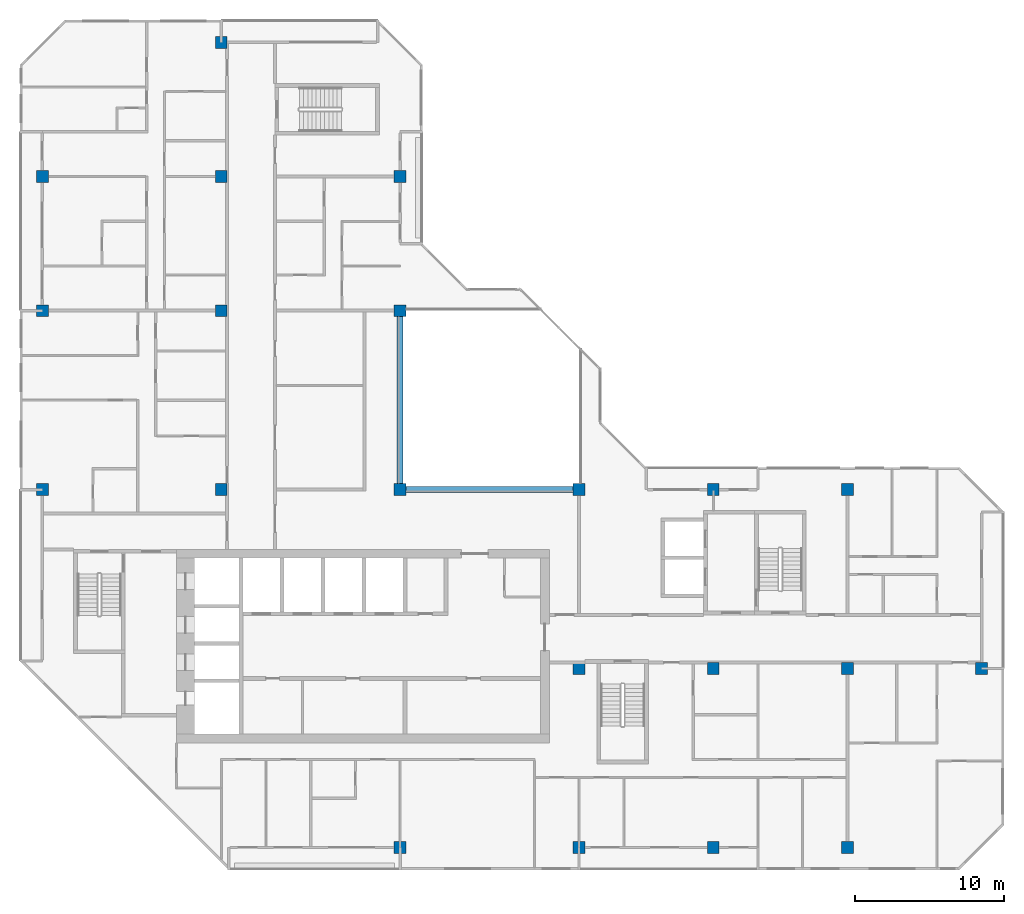
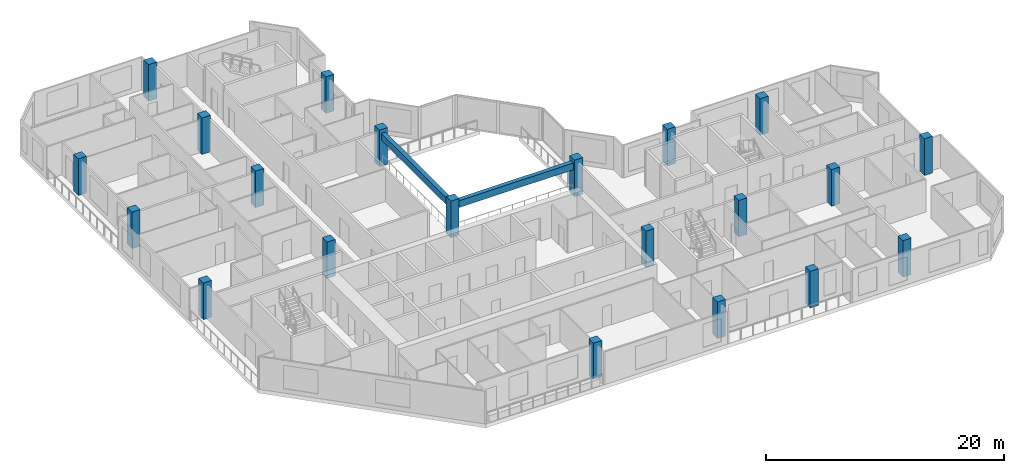
# One storey, part 1 of 13: 21 columns, 2 beams.
"""IFC4 building model written with IfcOpenShell, lengths in metres."""

from ifc_helpers import new_model, si_unit, direction, frame, origin, origin_2d, place, context, subcontext, project, spatial, rectangle, extrude, material, material_profile, profile_set, type_object, element, save


model = new_model("IFC4")

# Units and contexts
model_context = context("Model", 3, precision=1e-05, world=origin(), true_north=direction((0.0, 1.0)))
body_context = subcontext(model_context, "Body", "Model", "MODEL_VIEW")
ifc_project = project(units=[si_unit("LENGTHUNIT", "METRE"), si_unit("AREAUNIT", "SQUARE_METRE"), si_unit("VOLUMEUNIT", "CUBIC_METRE"), si_unit("PLANEANGLEUNIT", "RADIAN"), si_unit("MASSUNIT", "GRAM", prefix="KILO")], contexts=[model_context])

# Site, building, storey
site_placement = place(None, origin())
site = spatial("IfcSite", under=ifc_project, at=site_placement, CompositionType="ELEMENT")
building_placement = place(site_placement, origin())
building = spatial("IfcBuilding", under=site, at=building_placement, Name="Chenar Terraces", CompositionType="ELEMENT")
storey_placement = place(building_placement, frame((0.0, 0.0, 314.64990234375)))
storey = spatial("IfcBuildingStorey", under=building, at=storey_placement, Name="L74", CompositionType="ELEMENT", Elevation=314.64990234375)

# Columns
ifc_material_1 = material(Name="Concrete C50/60", Category="concrete")
ifc_material_profile_1 = material_profile(ifc_material_1, rectangle(XDim=0.800048828125, YDim=0.800048828125, at=origin_2d()), Name="C 800 x 800")
ifc_profile_set_1 = profile_set([ifc_material_profile_1], Name="Concrete C50/60")
column_type = type_object("IfcColumnType", Name="Column C 800 x 800 Concrete C50/60", PredefinedType="COLUMN", material=ifc_profile_set_1)
column_1_placement = place(storey_placement, frame((0.0, 24.0, 0.0), z_axis=(0.0, 0.0, 1.0), x_axis=(1.0, 0.0, 0.0)))
element("IfcColumn", 1, at=column_1_placement, inside=storey, type_object=column_type, Name="Column 5/G L74", PredefinedType="COLUMN", context=body_context, shape_type="SweptSolid", body=[
    extrude(rectangle(XDim=0.800048828125, YDim=0.800048828125, at=origin_2d()), origin(), (0.0, 0.0, 1.0), 3.75),
])
column_2_placement = place(storey_placement, frame((0.0, 36.0, 0.0), z_axis=(0.0, 0.0, 1.0), x_axis=(1.0, 0.0, 0.0)))
element("IfcColumn", 2, at=column_2_placement, inside=storey, type_object=column_type, Name="Column 5/H L74", PredefinedType="COLUMN", context=body_context, shape_type="SweptSolid", body=[
    extrude(rectangle(XDim=0.800048828125, YDim=0.800048828125, at=origin_2d()), origin(), (0.0, 0.0, 1.0), 3.75),
])
for number, where, z_axis, x_axis, name in (
    (3, (0.0, 45.0, 0.0), (0.0, 0.0, 1.0), (1.0, 0.0, 0.0), "Column 5/J L74"),
    (4, (12.0, 24.0, 0.0), (0.0, 0.0, 1.0), (1.0, 0.0, 0.0), "Column 6/G L74"),
    (5, (12.0, 36.0, 0.0), (0.0, 0.0, 1.0), (1.0, 0.0, 0.0), "Column 6/H L74"),
    (6, (12.0, 45.0, 0.0), (0.0, 0.0, 1.0), (1.0, 0.0, 0.0), "Column 6/J L74"),
    (7, (12.0, 54.0, 0.0), (0.0, 0.0, 1.0), (1.0, 0.0, 0.0), "Column 6/K L74"),
    (8, (24.0, 0.0, 0.0), (0.0, 0.0, 1.0), (1.0, 0.0, 0.0), "Column 7/E L74"),
    (9, (24.0, 24.0, 0.0), (0.0, 0.0, 1.0), (1.0, 0.0, 0.0), "Column 7/G L74"),
    (10, (24.0, 36.0, 0.0), (0.0, 0.0, 1.0), (1.0, 0.0, 0.0), "Column 7/H L74"),
    (11, (24.0, 45.0, 0.0), (0.0, 0.0, 1.0), (1.0, 0.0, 0.0), "Column 7/J L74"),
    (12, (36.0, 0.0, 0.0), (0.0, 0.0, 1.0), (1.0, 0.0, 0.0), "Column 8/E L74"),
    (13, (36.0, 12.0, 0.0), (0.0, 0.0, 1.0), (1.0, 0.0, 0.0), "Column 8/F L74"),
    (14, (36.0, 24.0, 0.0), (0.0, 0.0, 1.0), (1.0, 0.0, 0.0), "Column 8/G L74"),
    (15, (45.0, 0.0, 0.0), (0.0, 0.0, 1.0), (1.0, 0.0, 0.0), "Column 9/E L74"),
    (16, (45.0, 12.0, 0.0), (0.0, 0.0, 1.0), (1.0, 0.0, 0.0), "Column 9/F L74"),
    (17, (45.0, 24.0, 0.0), (0.0, 0.0, 1.0), (1.0, 0.0, 0.0), "Column 9/G L74"),
    (18, (54.0, 0.0, 0.0), (0.0, 0.0, 1.0), (1.0, 0.0, 0.0), "Column 10/E L74"),
    (19, (54.0, 12.0, 0.0), (0.0, 0.0, 1.0), (1.0, 0.0, 0.0), "Column 10/F L74"),
    (20, (54.0, 24.0, 0.0), (0.0, 0.0, 1.0), (1.0, 0.0, 0.0), "Column 10/G L74"),
    (21, (63.0, 12.0, 0.0), (0.0, 0.0, 1.0), (1.0, 0.0, 0.0), "Column 11/F L74"),
):
    element("IfcColumn", number, at=place(storey_placement, frame(where, z_axis=z_axis, x_axis=x_axis)), inside=storey, type_object=column_type, Name=name, PredefinedType="COLUMN", context=body_context, shape_type="SweptSolid", body=[
        extrude(rectangle(XDim=0.800048828125, YDim=0.800048828125, at=origin_2d()), origin(), (0.0, 0.0, 1.0), 3.75),
    ])

# Beams
ifc_material_2 = material(Name="Concrete C40/50", Category="concrete")
ifc_material_profile_2 = material_profile(ifc_material_2, rectangle(XDim=0.39990234375, YDim=0.699951171875, at=origin_2d()), Name="RC 400 x 700")
ifc_profile_set_2 = profile_set([ifc_material_profile_2], Name="Concrete C40/50")
beam_type = type_object("IfcBeamType", Name="Atrium edge beam 400 x 700 Concrete C40/50", PredefinedType="BEAM", material=ifc_profile_set_2)
for number, where, z_axis, x_axis, name in (
    (22, (24.39990234375, 24.0, 3.0), (1.0, 0.0, 0.0), (0.0, 1.0, 0.0), "Atrium edge beam L75 1"),
    (23, (24.0, 35.60009765625, 3.0), (0.0, -1.0, 0.0), (1.0, 0.0, 0.0), "Atrium edge beam L75 4"),
):
    element("IfcBeam", number, at=place(storey_placement, frame(where, z_axis=z_axis, x_axis=x_axis)), inside=storey, type_object=beam_type, Name=name, PredefinedType="BEAM", context=body_context, shape_type="SweptSolid", body=[
        extrude(rectangle(XDim=0.39990234375, YDim=0.699951171875, at=origin_2d()), origin(), (0.0, 0.0, 1.0), 11.2001953125),
    ])

save(model, "model.ifc")
